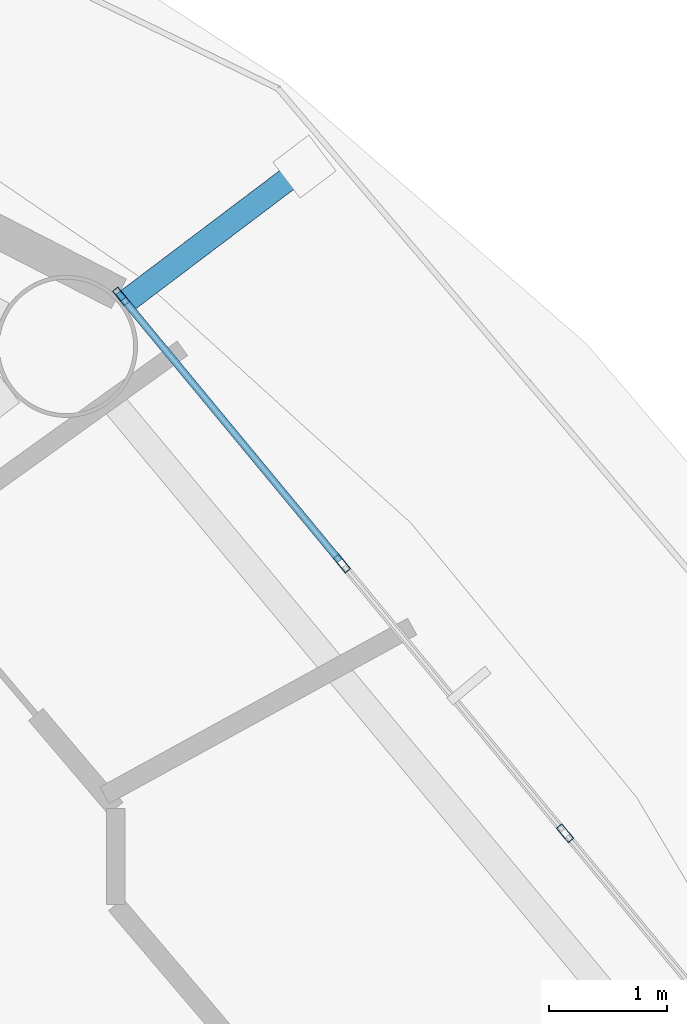
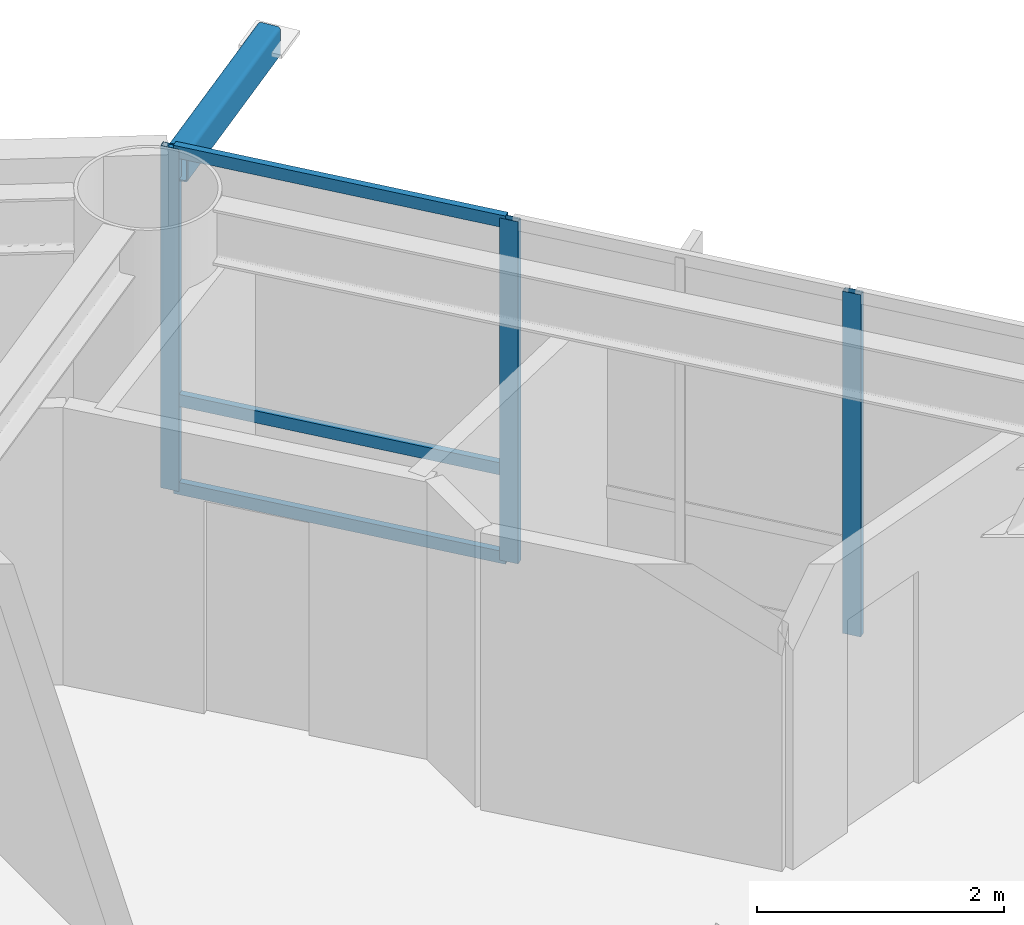
# One storey, part 15 of 28: 7 members, 1 element without a shape of its own.
"""IFC4 building model written with IfcOpenShell, lengths in metres."""

from ifc_helpers import new_model, si_unit, direction, frame, origin, origin_2d, place, context, subcontext, project, spatial, hollow_rectangle, extrude, material, layer, layer_set, material_profile, profile_set, type_object, element, aggregate, save


model = new_model("IFC4")

# Units and contexts
model_context = context("Model", 3, precision=1e-05, world=origin(), true_north=direction((0.0, 1.0)))
body_context = subcontext(model_context, "Body", "Model", "MODEL_VIEW")
ifc_project = project(units=[si_unit("LENGTHUNIT", "METRE"), si_unit("AREAUNIT", "SQUARE_METRE"), si_unit("VOLUMEUNIT", "CUBIC_METRE"), si_unit("PLANEANGLEUNIT", "RADIAN"), si_unit("MASSUNIT", "GRAM", prefix="KILO")], contexts=[model_context])

# Site, building, storey
site_placement = place(None, origin())
site = spatial("IfcSite", under=ifc_project, at=site_placement, CompositionType="ELEMENT")
building_placement = place(site_placement, origin())
building = spatial("IfcBuilding", under=site, at=building_placement, Name="Sarneth Arch Tower", CompositionType="ELEMENT")
storey_placement = place(building_placement, frame((0.0, 0.0, 190.199951171875)))
storey = spatial("IfcBuildingStorey", under=building, at=storey_placement, Name="L48", CompositionType="ELEMENT", Elevation=190.199951171875)

# Curtain wall, members
ifc_material_1 = material(Name="Anodised aluminium Type AA25 and solar-control low-e laminated IGU", Category="aluminium")
ifc_layer = layer(ifc_material_1, 0.169921875)
ifc_layer_set = layer_set([ifc_layer], Name="Anodised aluminium Type AA25 and solar-control low-e laminated IGU")
curtain_wall_type = type_object("IfcCurtainWallType", Name="CW-RES-MID", PredefinedType="NOTDEFINED", material=ifc_layer_set)
curtain_wall_placement = place(storey_placement, origin())
curtain_wall = element("IfcCurtainWall", 1, at=curtain_wall_placement, inside=storey, type_object=curtain_wall_type, Name="L48 Unitised curtain wall facet 02", PredefinedType="NOTDEFINED")
ifc_material_2 = material(Name="Anodised Aluminium 6063-T6", Category="aluminium")
ifc_material_profile_1 = material_profile(ifc_material_2, hollow_rectangle(XDim=0.06005859375, YDim=0.159912109375, WallThickness=0.00390625, at=origin_2d()), Name="AL-MULL-160x60x4")
ifc_profile_set_1 = profile_set([ifc_material_profile_1], Name="Anodised Aluminium 6063-T6")
member_type_1 = type_object("IfcMemberType", Name="CW-MULLION", PredefinedType="MULLION", material=ifc_profile_set_1)
member_1_placement = place(storey_placement, frame((71.346923828125, 52.3466796875, 0.0), z_axis=(0.0, 0.0, 1.0), x_axis=(-0.770590741276, -0.637330298558, 0.0)))
member_1 = element("IfcMember", 2, at=member_1_placement, type_object=member_type_1, Name="CW-SYS-5 mullion 2", PredefinedType="MULLION", context=body_context, shape_type="SweptSolid", body=[
    extrude(hollow_rectangle(XDim=0.06005859375, YDim=0.159912109375, WallThickness=0.00390625, at=origin_2d()), origin(), (0.0, 0.0, 1.0), 3.380126953125),
])
member_2_placement = place(storey_placement, frame((69.46142578125, 54.626220703125, 0.0), z_axis=(0.0, 0.0, 1.0), x_axis=(-0.770590741276, -0.637330298558, 0.0)))
member_2 = element("IfcMember", 3, at=member_2_placement, type_object=member_type_1, Name="CW-SYS-5 mullion 3", PredefinedType="MULLION", context=body_context, shape_type="SweptSolid", body=[
    extrude(hollow_rectangle(XDim=0.06005859375, YDim=0.159912109375, WallThickness=0.00390625, at=origin_2d()), origin(), (0.0, 0.0, 1.0), 3.380126953125),
])
member_3_placement = place(storey_placement, frame((67.59521484375, 56.8828125, 0.0), z_axis=(0.0, 0.0, 1.0), x_axis=(-0.770590741276, -0.637330298558, 0.0)))
member_3 = element("IfcMember", 4, at=member_3_placement, type_object=member_type_1, Name="CW-SYS-5 mullion 4", PredefinedType="MULLION", context=body_context, shape_type="SweptSolid", body=[
    extrude(hollow_rectangle(XDim=0.06005859375, YDim=0.159912109375, WallThickness=0.00390625, at=origin_2d()), origin(), (0.0, 0.0, 1.0), 3.380126953125),
])
ifc_material_3 = material(Name="Anodised Aluminium 6063-T6", Category="aluminium")
ifc_material_profile_2 = material_profile(ifc_material_3, hollow_rectangle(XDim=0.06005859375, YDim=0.1201171875, WallThickness=0.00390625, at=origin_2d()), Name="AL-TRAN-120x60x4")
ifc_profile_set_2 = profile_set([ifc_material_profile_2], Name="Anodised Aluminium 6063-T6")
member_type_2 = type_object("IfcMemberType", Name="CW-TRANSOM", PredefinedType="USERDEFINED", material=ifc_profile_set_2)
member_4_placement = place(storey_placement, frame((69.4423828125, 54.6494140625, 0.030029296875), z_axis=(-0.637358651504, 0.770567290607, 0.0), x_axis=(-0.770567290607, -0.637358651504, 0.0)))
member_4 = element("IfcMember", 5, at=member_4_placement, type_object=member_type_2, Name="CW-SYS-5 transom 3.1", ObjectType="TRANSOM", PredefinedType="USERDEFINED", context=body_context, shape_type="SweptSolid", body=[
    extrude(hollow_rectangle(XDim=0.06005859375, YDim=0.1201171875, WallThickness=0.00390625, at=origin_2d()), origin(), (0.0, 0.0, 1.0), 2.8681640625),
])
member_5_placement = place(storey_placement, frame((69.4423828125, 54.6494140625, 0.900146484375), z_axis=(-0.637358651504, 0.770567290607, 0.0), x_axis=(-0.770567290607, -0.637358651504, 0.0)))
member_5 = element("IfcMember", 6, at=member_5_placement, type_object=member_type_2, Name="CW-SYS-5 transom 3.2", ObjectType="TRANSOM", PredefinedType="USERDEFINED", context=body_context, shape_type="SweptSolid", body=[
    extrude(hollow_rectangle(XDim=0.06005859375, YDim=0.1201171875, WallThickness=0.00390625, at=origin_2d()), origin(), (0.0, 0.0, 1.0), 2.8681640625),
])
member_6_placement = place(storey_placement, frame((69.4423828125, 54.6494140625, 3.35009765625), z_axis=(-0.637358651504, 0.770567290607, 0.0), x_axis=(-0.770567290607, -0.637358651504, 0.0)))
member_6 = element("IfcMember", 7, at=member_6_placement, type_object=member_type_2, Name="CW-SYS-5 transom 3.3", ObjectType="TRANSOM", PredefinedType="USERDEFINED", context=body_context, shape_type="SweptSolid", body=[
    extrude(hollow_rectangle(XDim=0.06005859375, YDim=0.1201171875, WallThickness=0.00390625, at=origin_2d()), origin(), (0.0, 0.0, 1.0), 2.8681640625),
])
aggregate(curtain_wall, [member_1, member_2, member_3, member_4, member_5, member_6])

# Member
ifc_material_4 = material(Name="Steel S355", Category="steel")
ifc_material_profile_3 = material_profile(ifc_material_4, hollow_rectangle(XDim=0.199951171875, YDim=0.300048828125, WallThickness=0.012451171875, InnerFilletRadius=0.018798828125, OuterFilletRadius=0.03125, at=origin_2d()), Name="RHS300x200x12.5")
ifc_profile_set_3 = profile_set([ifc_material_profile_3], Name="Steel S355")
member_type_3 = type_object("IfcMemberType", Name="MEM-CANT-STRUT", PredefinedType="STRUT", material=ifc_profile_set_3)
member_7_placement = place(storey_placement, frame((67.612548828125, 56.822021484375, 3.219970703125), z_axis=(0.797736879536, 0.603005697342, 0.0), x_axis=(-0.603005697342, 0.797736879536, 0.0)))
element("IfcMember", 8, at=member_7_placement, inside=storey, type_object=member_type_3, Name="L48 Balcony cantilever bracket 03", PredefinedType="STRUT", context=body_context, shape_type="SweptSolid", body=[
    extrude(hollow_rectangle(XDim=0.199951171875, YDim=0.300048828125, WallThickness=0.012451171875, InnerFilletRadius=0.018798828125, OuterFilletRadius=0.03125, at=origin_2d()), origin(), (0.0, 0.0, 1.0), 1.920654296875),
])

save(model, "model.ifc")
